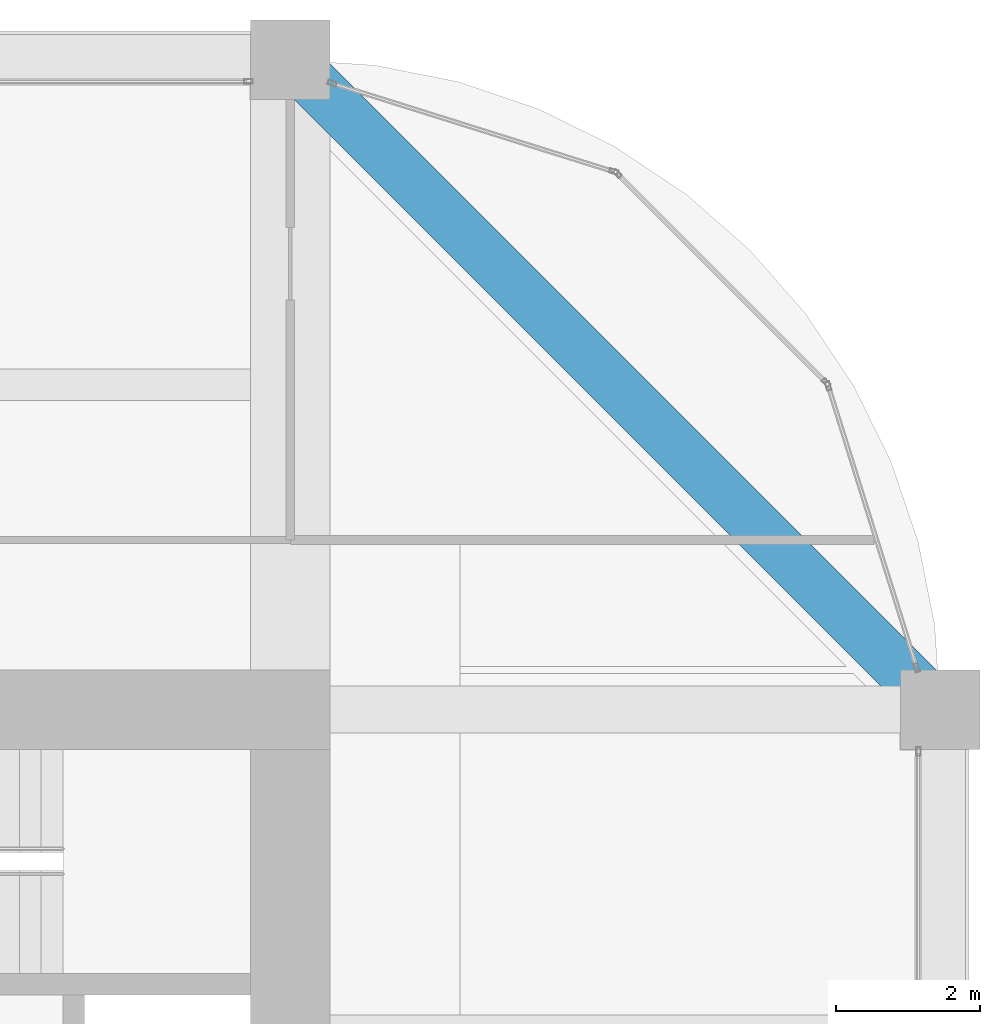
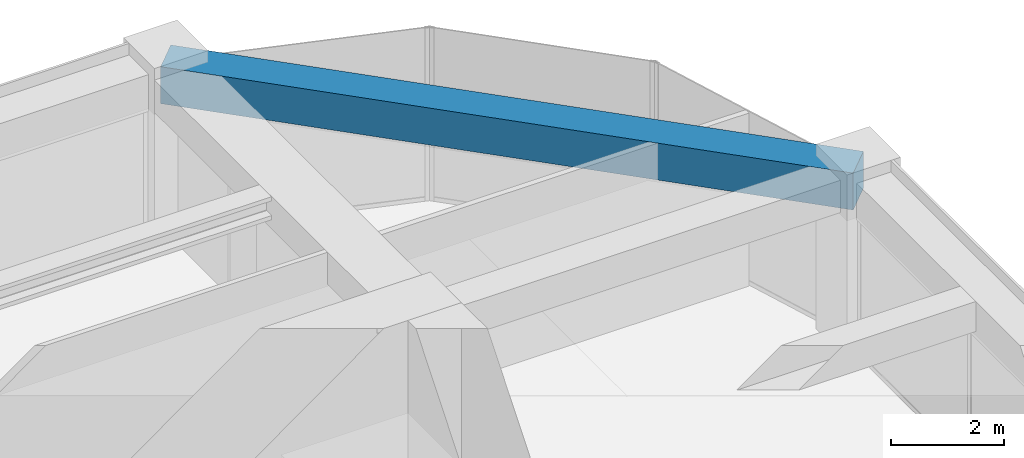
# One storey, part 38 of 44: 1 beam.
"""IFC4 building model written with IfcOpenShell, lengths in metres."""

from ifc_helpers import new_model, si_unit, direction, frame, origin, origin_2d, place, context, subcontext, project, spatial, rectangle, extrude, material, material_profile, profile_set, type_object, element, save


model = new_model("IFC4")

# Units and contexts
model_context = context("Model", 3, precision=1e-05, world=origin(), true_north=direction((0.0, 1.0)))
body_context = subcontext(model_context, "Body", "Model", "MODEL_VIEW")
ifc_project = project(units=[si_unit("LENGTHUNIT", "METRE"), si_unit("AREAUNIT", "SQUARE_METRE"), si_unit("VOLUMEUNIT", "CUBIC_METRE"), si_unit("PLANEANGLEUNIT", "RADIAN"), si_unit("MASSUNIT", "GRAM", prefix="KILO")], contexts=[model_context])

# Site, building, storey
site_placement = place(None, origin())
site = spatial("IfcSite", under=ifc_project, at=site_placement, CompositionType="ELEMENT")
building_placement = place(site_placement, origin())
building = spatial("IfcBuilding", under=site, at=building_placement, Name="Zorevar Civic Tower", CompositionType="ELEMENT")
storey_placement = place(building_placement, frame((0.0, 0.0, 267.39990234375)))
storey = spatial("IfcBuildingStorey", under=building, at=storey_placement, Name="L65", CompositionType="ELEMENT", Elevation=267.39990234375)

# Beam
ifc_material = material(Name="Concrete C50/60", Category="concrete")
ifc_material_profile = material_profile(ifc_material, rectangle(XDim=0.699951171875, YDim=0.800048828125, at=origin_2d()), Name="RC 700x800")
ifc_profile_set = profile_set([ifc_material_profile], Name="Concrete C50/60")
beam_type = type_object("IfcBeamType", Name="Edge beam RC 700x800", PredefinedType="SPANDREL", material=ifc_profile_set)
beam_placement = place(storey_placement, frame((54.0, 36.0, 3.35009765625), z_axis=(-0.707106781187, 0.707106781187, 0.0), x_axis=(-0.707106781187, -0.707106781187, 0.0)))
element("IfcBeam", 1, at=beam_placement, inside=storey, type_object=beam_type, Name="Corner edge beam L66", PredefinedType="SPANDREL", context=body_context, shape_type="SweptSolid", body=[
    extrude(rectangle(XDim=0.699951171875, YDim=0.800048828125, at=origin_2d()), origin(), (0.0, 0.0, 1.0), 12.72802734375),
])

save(model, "model.ifc")
